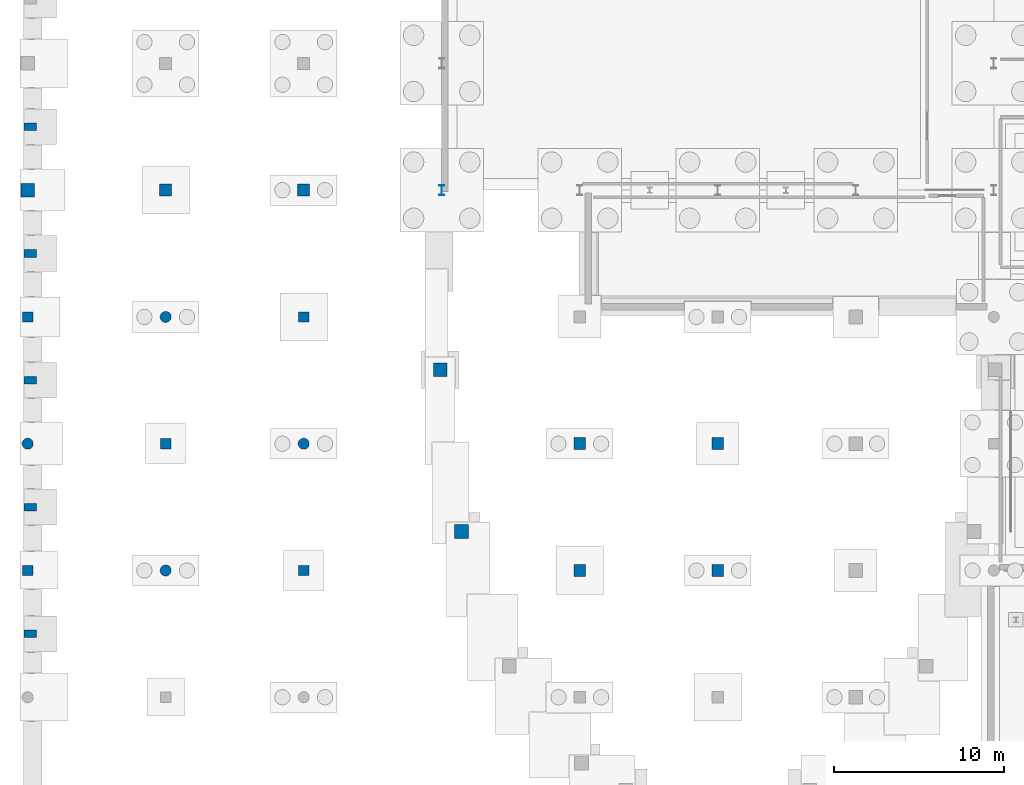
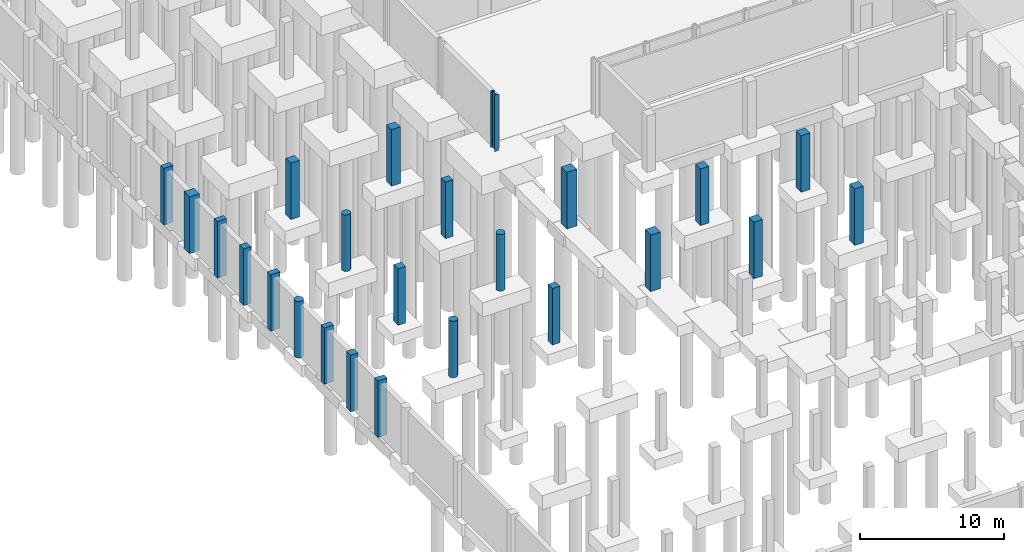
# One storey, part 12 of 37: 24 columns.
"""IFC4 building model written with IfcOpenShell, lengths in metres."""

from ifc_helpers import new_model, si_unit, direction, frame, origin, origin_2d, place, context, subcontext, project, spatial, rectangle, circle, i_section, extrude, material, material_profile, profile_set, type_object, element, save


model = new_model("IFC4")

# Units and contexts
model_context = context("Model", 3, precision=1e-05, world=origin(), true_north=direction((0.0, 1.0)))
body_context = subcontext(model_context, "Body", "Model", "MODEL_VIEW")
ifc_project = project(units=[si_unit("LENGTHUNIT", "METRE"), si_unit("AREAUNIT", "SQUARE_METRE"), si_unit("VOLUMEUNIT", "CUBIC_METRE"), si_unit("PLANEANGLEUNIT", "RADIAN"), si_unit("MASSUNIT", "GRAM", prefix="KILO")], contexts=[model_context])

# Site, building, storey
site_placement = place(None, origin())
site = spatial("IfcSite", under=ifc_project, at=site_placement, CompositionType="ELEMENT")
building_placement = place(site_placement, origin())
building = spatial("IfcBuilding", under=site, at=building_placement, Name="Kaelora Sail Theatre", CompositionType="ELEMENT")
storey_placement = place(building_placement, frame((0.0, 0.0, -4.800048828125)))
storey = spatial("IfcBuildingStorey", under=building, at=storey_placement, Name="B1", CompositionType="ELEMENT", Elevation=-4.800048828125)

# Columns
ifc_material_1 = material(Name="Steel S355", Category="steel")
ifc_material_profile_1 = material_profile(ifc_material_1, i_section(OverallWidth=0.300048828125, OverallDepth=0.60009765625, WebThickness=0.015380859375, FlangeThickness=0.030029296875, FilletRadius=0.027099609375, at=origin_2d()), Name="HEB 600")
ifc_profile_set_1 = profile_set([ifc_material_profile_1], Name="Steel S355")
column_type_1 = type_object("IfcColumnType", Name="STR-COL-C-HEB600", PredefinedType="COLUMN", material=ifc_profile_set_1)
column_placement = place(storey_placement, frame((25.800048828125, 61.02001953125, 0.0), z_axis=(0.0, 0.0, 1.0), x_axis=(1.0, 0.0, 0.0)))
element("IfcColumn", 1, at=column_placement, inside=storey, type_object=column_type_1, Name="Column 4/I (B1)", PredefinedType="COLUMN", context=body_context, shape_type="SweptSolid", body=[
    extrude(i_section(OverallWidth=0.300048828125, OverallDepth=0.60009765625, WebThickness=0.015380859375, FlangeThickness=0.030029296875, FilletRadius=0.027099609375, at=origin_2d()), origin(), (0.0, 0.0, 1.0), 4.800048828125),
])
ifc_material_2 = material(Name="Concrete C40/50", Category="concrete")
ifc_material_profile_2 = material_profile(ifc_material_2, rectangle(XDim=0.60009765625, YDim=0.60009765625, at=origin_2d()), Name="RC-COL 600x600")
ifc_profile_set_2 = profile_set([ifc_material_profile_2], Name="Concrete C40/50")
column_type_2 = type_object("IfcColumnType", Name="STR-COL-C-RC600", PredefinedType="COLUMN", material=ifc_profile_set_2)
for number, where, z_axis, x_axis, name in (
    (2, (1.5, 38.699951171875, 0.0), (0.0, 0.0, 1.0), (1.0, 0.0, 0.0), "Column 1/F (B1)"),
    (3, (1.5, 53.580078125, 0.0), (0.0, 0.0, 1.0), (1.0, 0.0, 0.0), "Column 1/H (B1)"),
    (4, (9.60009765625, 46.139892578125, 0.0), (0.0, 0.0, 1.0), (1.0, 0.0, 0.0), "Column 2/G (B1)"),
    (5, (17.699951171875, 38.699951171875, 0.0), (0.0, 0.0, 1.0), (1.0, 0.0, 0.0), "Column 3/F (B1)"),
    (6, (17.699951171875, 53.580078125, 0.0), (0.0, 0.0, 1.0), (1.0, 0.0, 0.0), "Column 3/H (B1)"),
):
    element("IfcColumn", number, at=place(storey_placement, frame(where, z_axis=z_axis, x_axis=x_axis)), inside=storey, type_object=column_type_2, Name=name, PredefinedType="COLUMN", context=body_context, shape_type="SweptSolid", body=[
        extrude(rectangle(XDim=0.60009765625, YDim=0.60009765625, at=origin_2d()), origin(), (0.0, 0.0, 1.0), 4.800048828125),
    ])
ifc_material_3 = material(Name="Concrete C45/55", Category="concrete")
ifc_material_profile_3 = material_profile(ifc_material_3, rectangle(XDim=0.699951171875, YDim=0.699951171875, at=origin_2d()), Name="RC-COL 700x700")
ifc_profile_set_3 = profile_set([ifc_material_profile_3], Name="Concrete C45/55")
column_type_3 = type_object("IfcColumnType", Name="STR-COL-C-RC700", PredefinedType="COLUMN", material=ifc_profile_set_3)
for number, where, z_axis, x_axis, name in (
    (7, (9.60009765625, 61.02001953125, 0.0), (0.0, 0.0, 1.0), (1.0, 0.0, 0.0), "Column 2/I (B1)"),
    (8, (17.699951171875, 61.02001953125, 0.0), (0.0, 0.0, 1.0), (1.0, 0.0, 0.0), "Column 3/I (B1)"),
    (9, (33.89990234375, 38.699951171875, 0.0), (0.0, 0.0, 1.0), (1.0, 0.0, 0.0), "Column 5/F (B1)"),
    (10, (33.89990234375, 46.139892578125, 0.0), (0.0, 0.0, 1.0), (1.0, 0.0, 0.0), "Column 5/G (B1)"),
    (11, (42.0, 38.699951171875, 0.0), (0.0, 0.0, 1.0), (1.0, 0.0, 0.0), "Column 6/F (B1)"),
    (12, (42.0, 46.139892578125, 0.0), (0.0, 0.0, 1.0), (1.0, 0.0, 0.0), "Column 6/G (B1)"),
):
    element("IfcColumn", number, at=place(storey_placement, frame(where, z_axis=z_axis, x_axis=x_axis)), inside=storey, type_object=column_type_3, Name=name, PredefinedType="COLUMN", context=body_context, shape_type="SweptSolid", body=[
        extrude(rectangle(XDim=0.699951171875, YDim=0.699951171875, at=origin_2d()), origin(), (0.0, 0.0, 1.0), 4.800048828125),
    ])
ifc_material_4 = material(Name="Concrete C50/60", Category="concrete")
ifc_material_profile_4 = material_profile(ifc_material_4, rectangle(XDim=0.800048828125, YDim=0.800048828125, at=origin_2d()), Name="RC-COL 800x800")
ifc_profile_set_4 = profile_set([ifc_material_profile_4], Name="Concrete C50/60")
column_type_4 = type_object("IfcColumnType", Name="STR-COL-C-RC800", PredefinedType="COLUMN", material=ifc_profile_set_4)
for number, where, z_axis, x_axis, name in (
    (13, (1.5, 61.02001953125, 0.0), (0.0, 0.0, 1.0), (1.0, 0.0, 0.0), "Column 1/I (B1)"),
    (14, (26.959716796875, 40.99072265625, 0.0), (0.0, 0.0, 1.0), (1.0, 0.0, 0.0), "Main drum perimeter column MK18 (B1)"),
    (15, (25.71630859375, 50.482421875, 0.0), (0.0, 0.0, 1.0), (1.0, 0.0, 0.0), "Main drum perimeter column MK20 (B1)"),
):
    element("IfcColumn", number, at=place(storey_placement, frame(where, z_axis=z_axis, x_axis=x_axis)), inside=storey, type_object=column_type_4, Name=name, PredefinedType="COLUMN", context=body_context, shape_type="SweptSolid", body=[
        extrude(rectangle(XDim=0.800048828125, YDim=0.800048828125, at=origin_2d()), origin(), (0.0, 0.0, 1.0), 4.800048828125),
    ])
ifc_material_5 = material(Name="Concrete C45/55", Category="concrete")
ifc_material_profile_5 = material_profile(ifc_material_5, circle(Radius=0.324951171875, at=origin_2d()), Name="RC-CCOL D650")
ifc_profile_set_5 = profile_set([ifc_material_profile_5], Name="Concrete C45/55")
column_type_5 = type_object("IfcColumnType", Name="STR-COL-C-RCD650", PredefinedType="COLUMN", material=ifc_profile_set_5)
for number, where, z_axis, x_axis, name in (
    (16, (1.5, 46.139892578125, 0.0), (0.0, 0.0, 1.0), (1.0, 0.0, 0.0), "Column 1/G (B1)"),
    (17, (9.60009765625, 38.699951171875, 0.0), (0.0, 0.0, 1.0), (1.0, 0.0, 0.0), "Column 2/F (B1)"),
    (18, (9.60009765625, 53.580078125, 0.0), (0.0, 0.0, 1.0), (1.0, 0.0, 0.0), "Column 2/H (B1)"),
    (19, (17.699951171875, 46.139892578125, 0.0), (0.0, 0.0, 1.0), (1.0, 0.0, 0.0), "Column 3/G (B1)"),
):
    element("IfcColumn", number, at=place(storey_placement, frame(where, z_axis=z_axis, x_axis=x_axis)), inside=storey, type_object=column_type_5, Name=name, PredefinedType="COLUMN", context=body_context, shape_type="SweptSolid", body=[
        extrude(circle(Radius=0.324951171875, at=origin_2d()), origin(), (0.0, 0.0, 1.0), 4.800048828125),
    ])
ifc_material_6 = material(Name="Precast concrete C45/55", Category="concrete")
ifc_material_profile_6 = material_profile(ifc_material_6, rectangle(XDim=0.449951171875, YDim=0.75, at=origin_2d()), Name="RC-PIL 450x750")
ifc_profile_set_6 = profile_set([ifc_material_profile_6], Name="Precast concrete C45/55")
column_type_6 = type_object("IfcColumnType", Name="STR-COL-PL-RC4575", PredefinedType="PILASTER", material=ifc_profile_set_6)
for number, where, z_axis, x_axis, name in (
    (20, (1.64990234375, 34.97998046875, 0.0), (0.0, 0.0, 1.0), (0.0, 1.0, 0.0), "Postmodern colonnade pilaster B1 W04"),
    (21, (1.64990234375, 42.419921875, 0.0), (0.0, 0.0, 1.0), (0.0, 1.0, 0.0), "Postmodern colonnade pilaster B1 W05"),
    (22, (1.64990234375, 49.860107421875, 0.0), (0.0, 0.0, 1.0), (0.0, 1.0, 0.0), "Postmodern colonnade pilaster B1 W06"),
    (23, (1.64990234375, 57.300048828125, 0.0), (0.0, 0.0, 1.0), (0.0, 1.0, 0.0), "Postmodern colonnade pilaster B1 W07"),
    (24, (1.64990234375, 64.739990234375, 0.0), (0.0, 0.0, 1.0), (0.0, 1.0, 0.0), "Postmodern colonnade pilaster B1 W08"),
):
    element("IfcColumn", number, at=place(storey_placement, frame(where, z_axis=z_axis, x_axis=x_axis)), inside=storey, type_object=column_type_6, Name=name, PredefinedType="PILASTER", context=body_context, shape_type="SweptSolid", body=[
        extrude(rectangle(XDim=0.449951171875, YDim=0.75, at=origin_2d()), origin(), (0.0, 0.0, 1.0), 4.800048828125),
    ])

save(model, "model.ifc")
